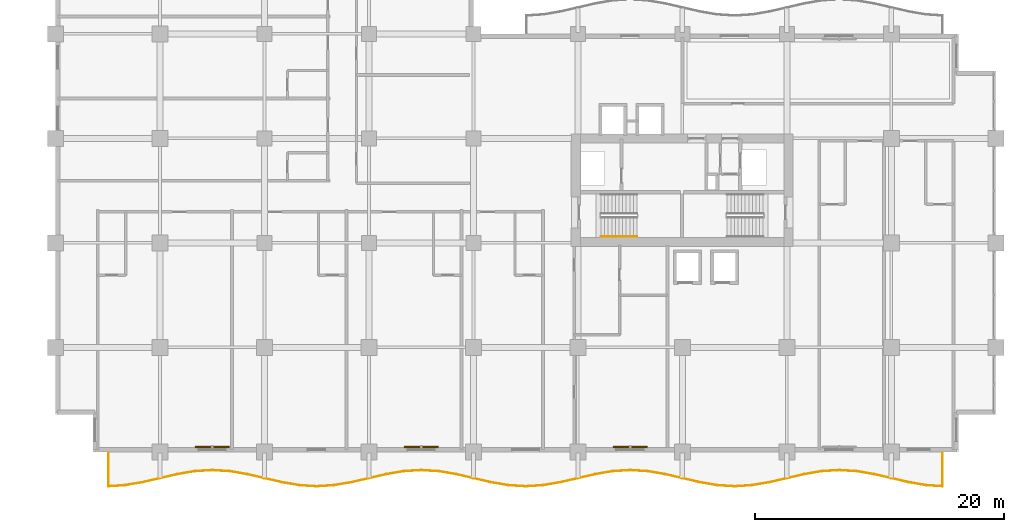
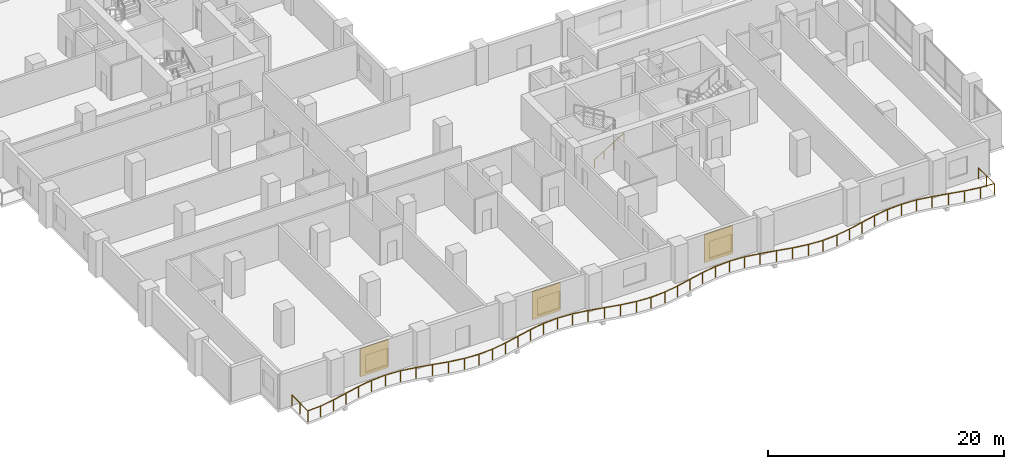
# One storey, part 20 of 23: 3 shading devices, 2 railings.
"""IFC4 building model written with IfcOpenShell, lengths in metres."""

from ifc_helpers import new_model, si_unit, direction, frame, origin, origin_2d, place, context, subcontext, project, spatial, rectangle, circle, extrude, material, layer, layer_set, type_object, element, save


model = new_model("IFC4")

# Units and contexts
model_context = context("Model", 3, precision=1e-05, world=origin(), true_north=direction((0.0, 1.0)))
body_context = subcontext(model_context, "Body", "Model", "MODEL_VIEW")
ifc_project = project(units=[si_unit("LENGTHUNIT", "METRE"), si_unit("AREAUNIT", "SQUARE_METRE"), si_unit("VOLUMEUNIT", "CUBIC_METRE"), si_unit("PLANEANGLEUNIT", "RADIAN"), si_unit("MASSUNIT", "GRAM", prefix="KILO")], contexts=[model_context])

# Site, building, storey
site_placement = place(None, origin())
site = spatial("IfcSite", under=ifc_project, at=site_placement, CompositionType="ELEMENT")
building_placement = place(site_placement, origin())
building = spatial("IfcBuilding", under=site, at=building_placement, Name="Koriwani Terraces Tower", CompositionType="ELEMENT")
storey_placement = place(building_placement, frame((0.0, 0.0, 119.0)))
storey = spatial("IfcBuildingStorey", under=building, at=storey_placement, Name="L28", CompositionType="ELEMENT", Elevation=119.0)

# Railings
ifc_material_1 = material(Name="Steel ASTM A572 Grade 50", Category="steel")
railing_type_1 = type_object("IfcRailingType", Name="GUARD_BALUSTRADE_1150", PredefinedType="BALUSTRADE", material=ifc_material_1)
railing_1_placement = place(storey_placement, frame((4.280029296875, -0.080078125, 0.0)))
element("IfcRailing", 1, at=railing_1_placement, inside=storey, type_object=railing_type_1, Name="L28 Balcony Perimeter Safety Balustrade (S)", PredefinedType="BALUSTRADE", context=body_context, shape_type="SweptSolid", body=[
    extrude(circle(Radius=0.02392578125, at=origin_2d()), frame((0.0, 0.0, 1.1259765625), z_axis=(0.0, -1.0, 0.0), x_axis=(1.0, 0.0, 0.0)), (0.0, 0.0, 1.0), 2.684814453125),
    extrude(circle(Radius=0.02392578125, at=origin_2d()), frame((0.0, -2.684814453125, 1.1259765625), z_axis=(0.998070619723, 0.062088952689, 0.0), x_axis=(-0.062088952689, 0.998070619723, 0.0)), (0.0, 0.0, 1.0), 1.313232421875),
    extrude(circle(Radius=0.02392578125, at=origin_2d()), frame((1.310791015625, -2.603271484375, 1.1259765625), z_axis=(0.985861269125, 0.167563594016, 0.0), x_axis=(-0.167563594016, 0.985861269125, 0.0)), (0.0, 0.0, 1.0), 1.413330078125),
    extrude(circle(Radius=0.02392578125, at=origin_2d()), frame((2.7041015625, -2.366455078125, 1.1259765625), z_axis=(0.974105551615, 0.226093729043, 0.0), x_axis=(-0.226093729043, 0.974105551615, 0.0)), (0.0, 0.0, 1.0), 2.87451171875),
    extrude(circle(Radius=0.02392578125, at=origin_2d()), frame((5.504150390625, -1.716552734375, 1.1259765625), z_axis=(0.985871108269, 0.16750569507, 0.0), x_axis=(-0.16750569507, 0.985871108269, 0.0)), (0.0, 0.0, 1.0), 1.427001953125),
    extrude(circle(Radius=0.02392578125, at=origin_2d()), frame((6.910888671875, -1.4775390625, 1.1259765625), z_axis=(0.9980820707, 0.061904605217, 0.0), x_axis=(-0.061904605217, 0.9980820707, 0.0)), (0.0, 0.0, 1.0), 1.411865234375),
    extrude(circle(Radius=0.02392578125, at=origin_2d()), frame((8.320068359375, -1.39013671875, 1.1259765625), z_axis=(0.9980820707, -0.061904605217, 0.0), x_axis=(0.061904605217, 0.9980820707, 0.0)), (0.0, 0.0, 1.0), 1.411865234375),
    extrude(circle(Radius=0.02392578125, at=origin_2d()), frame((9.729248046875, -1.4775390625, 1.1259765625), z_axis=(0.985866306337, -0.167533954852, 0.0), x_axis=(0.167533954852, 0.985866306337, 0.0)), (0.0, 0.0, 1.0), 1.4267578125),
    extrude(circle(Radius=0.02392578125, at=origin_2d()), frame((11.1357421875, -1.716552734375, 1.1259765625), z_axis=(0.974105551615, -0.226093729043, 0.0), x_axis=(0.226093729043, 0.974105551615, 0.0)), (0.0, 0.0, 1.0), 2.87451171875),
    extrude(circle(Radius=0.02392578125, at=origin_2d()), frame((13.935791015625, -2.366455078125, 1.1259765625), z_axis=(0.985861269125, -0.167563594016, 0.0), x_axis=(0.167563594016, 0.985861269125, 0.0)), (0.0, 0.0, 1.0), 1.413330078125),
    extrude(circle(Radius=0.02392578125, at=origin_2d()), frame((15.3291015625, -2.603271484375, 1.1259765625), z_axis=(0.998075009192, -0.062018352335, 0.0), x_axis=(0.062018352335, 0.998075009192, 0.0)), (0.0, 0.0, 1.0), 1.3935546875),
    extrude(circle(Radius=0.02392578125, at=origin_2d()), frame((16.719970703125, -2.689697265625, 1.1259765625), z_axis=(0.998075009192, 0.062018352335, 0.0), x_axis=(-0.062018352335, 0.998075009192, 0.0)), (0.0, 0.0, 1.0), 1.3935546875),
    extrude(circle(Radius=0.02392578125, at=origin_2d()), frame((18.11083984375, -2.603271484375, 1.1259765625), z_axis=(0.985861269125, 0.167563594016, 0.0), x_axis=(-0.167563594016, 0.985861269125, 0.0)), (0.0, 0.0, 1.0), 1.413330078125),
    extrude(circle(Radius=0.02392578125, at=origin_2d()), frame((19.504150390625, -2.366455078125, 1.1259765625), z_axis=(0.974105551615, 0.226093729043, 0.0), x_axis=(-0.226093729043, 0.974105551615, 0.0)), (0.0, 0.0, 1.0), 2.87451171875),
    extrude(circle(Radius=0.02392578125, at=origin_2d()), frame((22.30419921875, -1.716552734375, 1.1259765625), z_axis=(0.985866306337, 0.167533954852, 0.0), x_axis=(-0.167533954852, 0.985866306337, 0.0)), (0.0, 0.0, 1.0), 1.4267578125),
    extrude(circle(Radius=0.02392578125, at=origin_2d()), frame((23.710693359375, -1.4775390625, 1.1259765625), z_axis=(0.9980820707, 0.061904605217, 0.0), x_axis=(-0.061904605217, 0.9980820707, 0.0)), (0.0, 0.0, 1.0), 1.411865234375),
    extrude(circle(Radius=0.02392578125, at=origin_2d()), frame((25.119873046875, -1.39013671875, 1.1259765625), z_axis=(0.9980820707, -0.061904605217, 0.0), x_axis=(0.061904605217, 0.9980820707, 0.0)), (0.0, 0.0, 1.0), 1.411865234375),
    extrude(circle(Radius=0.02392578125, at=origin_2d()), frame((26.529052734375, -1.4775390625, 1.1259765625), z_axis=(0.985871108269, -0.16750569507, 0.0), x_axis=(0.16750569507, 0.985871108269, 0.0)), (0.0, 0.0, 1.0), 1.427001953125),
    extrude(circle(Radius=0.02392578125, at=origin_2d()), frame((27.935791015625, -1.716552734375, 1.1259765625), z_axis=(0.974105551615, -0.226093729043, 0.0), x_axis=(0.226093729043, 0.974105551615, 0.0)), (0.0, 0.0, 1.0), 2.87451171875),
    extrude(circle(Radius=0.02392578125, at=origin_2d()), frame((30.73583984375, -2.366455078125, 1.1259765625), z_axis=(0.985861269125, -0.167563594016, 0.0), x_axis=(0.167563594016, 0.985861269125, 0.0)), (0.0, 0.0, 1.0), 1.413330078125),
    extrude(circle(Radius=0.02392578125, at=origin_2d()), frame((32.129150390625, -2.603271484375, 1.1259765625), z_axis=(0.998075009192, -0.062018352335, 0.0), x_axis=(0.062018352335, 0.998075009192, 0.0)), (0.0, 0.0, 1.0), 1.3935546875),
    extrude(circle(Radius=0.02392578125, at=origin_2d()), frame((33.52001953125, -2.689697265625, 1.1259765625), z_axis=(0.998075009192, 0.062018352335, 0.0), x_axis=(-0.062018352335, 0.998075009192, 0.0)), (0.0, 0.0, 1.0), 1.3935546875),
    extrude(circle(Radius=0.02392578125, at=origin_2d()), frame((34.910888671875, -2.603271484375, 1.1259765625), z_axis=(0.985861269125, 0.167563594016, 0.0), x_axis=(-0.167563594016, 0.985861269125, 0.0)), (0.0, 0.0, 1.0), 1.413330078125),
    extrude(circle(Radius=0.02392578125, at=origin_2d()), frame((36.30419921875, -2.366455078125, 1.1259765625), z_axis=(0.974105551615, 0.226093729043, 0.0), x_axis=(-0.226093729043, 0.974105551615, 0.0)), (0.0, 0.0, 1.0), 2.87451171875),
    extrude(circle(Radius=0.02392578125, at=origin_2d()), frame((39.104248046875, -1.716552734375, 1.1259765625), z_axis=(0.985866306337, 0.167533954852, 0.0), x_axis=(-0.167533954852, 0.985866306337, 0.0)), (0.0, 0.0, 1.0), 1.4267578125),
    extrude(circle(Radius=0.02392578125, at=origin_2d()), frame((40.5107421875, -1.4775390625, 1.1259765625), z_axis=(0.9980820707, 0.061904605217, 0.0), x_axis=(-0.061904605217, 0.9980820707, 0.0)), (0.0, 0.0, 1.0), 1.411865234375),
    extrude(circle(Radius=0.02392578125, at=origin_2d()), frame((41.919921875, -1.39013671875, 1.1259765625), z_axis=(0.9980820707, -0.061904605217, 0.0), x_axis=(0.061904605217, 0.9980820707, 0.0)), (0.0, 0.0, 1.0), 1.411865234375),
    extrude(circle(Radius=0.02392578125, at=origin_2d()), frame((43.3291015625, -1.4775390625, 1.1259765625), z_axis=(0.985866306337, -0.167533954852, 0.0), x_axis=(0.167533954852, 0.985866306337, 0.0)), (0.0, 0.0, 1.0), 1.4267578125),
    extrude(circle(Radius=0.02392578125, at=origin_2d()), frame((44.735595703125, -1.716552734375, 1.1259765625), z_axis=(0.974109892753, -0.226075024805, 0.0), x_axis=(0.226075024805, 0.974109892753, 0.0)), (0.0, 0.0, 1.0), 2.874755859375),
    extrude(circle(Radius=0.02392578125, at=origin_2d()), frame((47.535888671875, -2.366455078125, 1.1259765625), z_axis=(0.985861269125, -0.167563594016, 0.0), x_axis=(0.167563594016, 0.985861269125, 0.0)), (0.0, 0.0, 1.0), 1.413330078125),
    extrude(circle(Radius=0.02392578125, at=origin_2d()), frame((48.92919921875, -2.603271484375, 1.1259765625), z_axis=(0.998075009192, -0.062018352335, 0.0), x_axis=(0.062018352335, 0.998075009192, 0.0)), (0.0, 0.0, 1.0), 1.3935546875),
    extrude(circle(Radius=0.02392578125, at=origin_2d()), frame((50.320068359375, -2.689697265625, 1.1259765625), z_axis=(0.998074335174, 0.062029198499, 0.0), x_axis=(-0.062029198499, 0.998074335174, 0.0)), (0.0, 0.0, 1.0), 1.393310546875),
    extrude(circle(Radius=0.02392578125, at=origin_2d()), frame((51.710693359375, -2.603271484375, 1.1259765625), z_axis=(0.985866118171, 0.167535062128, 0.0), x_axis=(-0.167535062128, 0.985866118171, 0.0)), (0.0, 0.0, 1.0), 1.41357421875),
    extrude(circle(Radius=0.02392578125, at=origin_2d()), frame((53.104248046875, -2.366455078125, 1.1259765625), z_axis=(0.974105551615, 0.226093729043, 0.0), x_axis=(-0.226093729043, 0.974105551615, 0.0)), (0.0, 0.0, 1.0), 2.87451171875),
    extrude(circle(Radius=0.02392578125, at=origin_2d()), frame((55.904296875, -1.716552734375, 1.1259765625), z_axis=(0.985866306337, 0.167533954852, 0.0), x_axis=(-0.167533954852, 0.985866306337, 0.0)), (0.0, 0.0, 1.0), 1.4267578125),
    extrude(circle(Radius=0.02392578125, at=origin_2d()), frame((57.310791015625, -1.4775390625, 1.1259765625), z_axis=(0.9980820707, 0.061904605217, 0.0), x_axis=(-0.061904605217, 0.9980820707, 0.0)), (0.0, 0.0, 1.0), 1.411865234375),
    extrude(circle(Radius=0.02392578125, at=origin_2d()), frame((58.719970703125, -1.39013671875, 1.1259765625), z_axis=(0.9980820707, -0.061904605217, 0.0), x_axis=(0.061904605217, 0.9980820707, 0.0)), (0.0, 0.0, 1.0), 1.411865234375),
    extrude(circle(Radius=0.02392578125, at=origin_2d()), frame((60.129150390625, -1.4775390625, 1.1259765625), z_axis=(0.985866306337, -0.167533954852, 0.0), x_axis=(0.167533954852, 0.985866306337, 0.0)), (0.0, 0.0, 1.0), 1.4267578125),
    extrude(circle(Radius=0.02392578125, at=origin_2d()), frame((61.53564453125, -1.716552734375, 1.1259765625), z_axis=(0.974105551615, -0.226093729043, 0.0), x_axis=(0.226093729043, 0.974105551615, 0.0)), (0.0, 0.0, 1.0), 2.87451171875),
    extrude(circle(Radius=0.02392578125, at=origin_2d()), frame((64.335693359375, -2.366455078125, 1.1259765625), z_axis=(0.985866118171, -0.167535062128, 0.0), x_axis=(0.167535062128, 0.985866118171, 0.0)), (0.0, 0.0, 1.0), 1.41357421875),
    extrude(circle(Radius=0.02392578125, at=origin_2d()), frame((65.729248046875, -2.603271484375, 1.1259765625), z_axis=(0.998070619723, -0.062088952689, 0.0), x_axis=(0.062088952689, 0.998070619723, 0.0)), (0.0, 0.0, 1.0), 1.313232421875),
    extrude(circle(Radius=0.02392578125, at=origin_2d()), frame((67.0400390625, -2.684814453125, 1.1259765625), z_axis=(0.0, 1.0, 0.0), x_axis=(-1.0, 0.0, 0.0)), (0.0, 0.0, 1.0), 2.684814453125),
    extrude(circle(Radius=0.02099609375, at=origin_2d()), origin(), (0.0, 0.0, 1.0), 1.101806640625),
    extrude(circle(Radius=0.02099609375, at=origin_2d()), frame((0.0, -1.34228515625, 0.0)), (0.0, 0.0, 1.0), 1.101806640625),
    extrude(circle(Radius=0.02099609375, at=origin_2d()), frame((0.0, -2.684814453125, 0.0)), (0.0, 0.0, 1.0), 1.101806640625),
    extrude(circle(Radius=0.02099609375, at=origin_2d()), frame((1.310791015625, -2.603271484375, 0.0)), (0.0, 0.0, 1.0), 1.101806640625),
    extrude(circle(Radius=0.02099609375, at=origin_2d()), frame((2.7041015625, -2.366455078125, 0.0)), (0.0, 0.0, 1.0), 1.101806640625),
    extrude(circle(Radius=0.02099609375, at=origin_2d()), frame((4.10400390625, -2.04150390625, 0.0)), (0.0, 0.0, 1.0), 1.101806640625),
    extrude(circle(Radius=0.02099609375, at=origin_2d()), frame((5.504150390625, -1.716552734375, 0.0)), (0.0, 0.0, 1.0), 1.101806640625),
    extrude(circle(Radius=0.02099609375, at=origin_2d()), frame((6.910888671875, -1.4775390625, 0.0)), (0.0, 0.0, 1.0), 1.101806640625),
    extrude(circle(Radius=0.02099609375, at=origin_2d()), frame((8.320068359375, -1.39013671875, 0.0)), (0.0, 0.0, 1.0), 1.101806640625),
    extrude(circle(Radius=0.02099609375, at=origin_2d()), frame((9.729248046875, -1.4775390625, 0.0)), (0.0, 0.0, 1.0), 1.101806640625),
    extrude(circle(Radius=0.02099609375, at=origin_2d()), frame((11.1357421875, -1.716552734375, 0.0)), (0.0, 0.0, 1.0), 1.101806640625),
    extrude(circle(Radius=0.02099609375, at=origin_2d()), frame((12.53564453125, -2.04150390625, 0.0)), (0.0, 0.0, 1.0), 1.101806640625),
    extrude(circle(Radius=0.02099609375, at=origin_2d()), frame((13.935791015625, -2.366455078125, 0.0)), (0.0, 0.0, 1.0), 1.101806640625),
    extrude(circle(Radius=0.02099609375, at=origin_2d()), frame((15.3291015625, -2.603271484375, 0.0)), (0.0, 0.0, 1.0), 1.101806640625),
    extrude(circle(Radius=0.02099609375, at=origin_2d()), frame((16.719970703125, -2.689697265625, 0.0)), (0.0, 0.0, 1.0), 1.101806640625),
    extrude(circle(Radius=0.02099609375, at=origin_2d()), frame((18.11083984375, -2.603271484375, 0.0)), (0.0, 0.0, 1.0), 1.101806640625),
    extrude(circle(Radius=0.02099609375, at=origin_2d()), frame((19.504150390625, -2.366455078125, 0.0)), (0.0, 0.0, 1.0), 1.101806640625),
    extrude(circle(Radius=0.02099609375, at=origin_2d()), frame((20.904296875, -2.04150390625, 0.0)), (0.0, 0.0, 1.0), 1.101806640625),
    extrude(circle(Radius=0.02099609375, at=origin_2d()), frame((22.30419921875, -1.716552734375, 0.0)), (0.0, 0.0, 1.0), 1.101806640625),
    extrude(circle(Radius=0.02099609375, at=origin_2d()), frame((23.710693359375, -1.4775390625, 0.0)), (0.0, 0.0, 1.0), 1.101806640625),
    extrude(circle(Radius=0.02099609375, at=origin_2d()), frame((25.119873046875, -1.39013671875, 0.0)), (0.0, 0.0, 1.0), 1.101806640625),
    extrude(circle(Radius=0.02099609375, at=origin_2d()), frame((26.529052734375, -1.4775390625, 0.0)), (0.0, 0.0, 1.0), 1.101806640625),
    extrude(circle(Radius=0.02099609375, at=origin_2d()), frame((27.935791015625, -1.716552734375, 0.0)), (0.0, 0.0, 1.0), 1.101806640625),
    extrude(circle(Radius=0.02099609375, at=origin_2d()), frame((29.3359375, -2.04150390625, 0.0)), (0.0, 0.0, 1.0), 1.101806640625),
    extrude(circle(Radius=0.02099609375, at=origin_2d()), frame((30.73583984375, -2.366455078125, 0.0)), (0.0, 0.0, 1.0), 1.101806640625),
    extrude(circle(Radius=0.02099609375, at=origin_2d()), frame((32.129150390625, -2.603271484375, 0.0)), (0.0, 0.0, 1.0), 1.101806640625),
    extrude(circle(Radius=0.02099609375, at=origin_2d()), frame((33.52001953125, -2.689697265625, 0.0)), (0.0, 0.0, 1.0), 1.101806640625),
    extrude(circle(Radius=0.02099609375, at=origin_2d()), frame((34.910888671875, -2.603271484375, 0.0)), (0.0, 0.0, 1.0), 1.101806640625),
    extrude(circle(Radius=0.02099609375, at=origin_2d()), frame((36.30419921875, -2.366455078125, 0.0)), (0.0, 0.0, 1.0), 1.101806640625),
    extrude(circle(Radius=0.02099609375, at=origin_2d()), frame((37.7041015625, -2.04150390625, 0.0)), (0.0, 0.0, 1.0), 1.101806640625),
    extrude(circle(Radius=0.02099609375, at=origin_2d()), frame((39.104248046875, -1.716552734375, 0.0)), (0.0, 0.0, 1.0), 1.101806640625),
    extrude(circle(Radius=0.02099609375, at=origin_2d()), frame((40.5107421875, -1.4775390625, 0.0)), (0.0, 0.0, 1.0), 1.101806640625),
    extrude(circle(Radius=0.02099609375, at=origin_2d()), frame((41.919921875, -1.39013671875, 0.0)), (0.0, 0.0, 1.0), 1.101806640625),
    extrude(circle(Radius=0.02099609375, at=origin_2d()), frame((43.3291015625, -1.4775390625, 0.0)), (0.0, 0.0, 1.0), 1.101806640625),
    extrude(circle(Radius=0.02099609375, at=origin_2d()), frame((44.735595703125, -1.716552734375, 0.0)), (0.0, 0.0, 1.0), 1.101806640625),
    extrude(circle(Radius=0.02099609375, at=origin_2d()), frame((46.1357421875, -2.04150390625, 0.0)), (0.0, 0.0, 1.0), 1.101806640625),
    extrude(circle(Radius=0.02099609375, at=origin_2d()), frame((47.535888671875, -2.366455078125, 0.0)), (0.0, 0.0, 1.0), 1.101806640625),
    extrude(circle(Radius=0.02099609375, at=origin_2d()), frame((48.92919921875, -2.603271484375, 0.0)), (0.0, 0.0, 1.0), 1.101806640625),
    extrude(circle(Radius=0.02099609375, at=origin_2d()), frame((50.320068359375, -2.689697265625, 0.0)), (0.0, 0.0, 1.0), 1.101806640625),
    extrude(circle(Radius=0.02099609375, at=origin_2d()), frame((51.710693359375, -2.603271484375, 0.0)), (0.0, 0.0, 1.0), 1.101806640625),
    extrude(circle(Radius=0.02099609375, at=origin_2d()), frame((53.104248046875, -2.366455078125, 0.0)), (0.0, 0.0, 1.0), 1.101806640625),
    extrude(circle(Radius=0.02099609375, at=origin_2d()), frame((54.50439453125, -2.04150390625, 0.0)), (0.0, 0.0, 1.0), 1.101806640625),
    extrude(circle(Radius=0.02099609375, at=origin_2d()), frame((55.904296875, -1.716552734375, 0.0)), (0.0, 0.0, 1.0), 1.101806640625),
    extrude(circle(Radius=0.02099609375, at=origin_2d()), frame((57.310791015625, -1.4775390625, 0.0)), (0.0, 0.0, 1.0), 1.101806640625),
    extrude(circle(Radius=0.02099609375, at=origin_2d()), frame((58.719970703125, -1.39013671875, 0.0)), (0.0, 0.0, 1.0), 1.101806640625),
    extrude(circle(Radius=0.02099609375, at=origin_2d()), frame((60.129150390625, -1.4775390625, 0.0)), (0.0, 0.0, 1.0), 1.101806640625),
    extrude(circle(Radius=0.02099609375, at=origin_2d()), frame((61.53564453125, -1.716552734375, 0.0)), (0.0, 0.0, 1.0), 1.101806640625),
    extrude(circle(Radius=0.02099609375, at=origin_2d()), frame((62.935546875, -2.04150390625, 0.0)), (0.0, 0.0, 1.0), 1.101806640625),
    extrude(circle(Radius=0.02099609375, at=origin_2d()), frame((64.335693359375, -2.366455078125, 0.0)), (0.0, 0.0, 1.0), 1.101806640625),
    extrude(circle(Radius=0.02099609375, at=origin_2d()), frame((65.729248046875, -2.603271484375, 0.0)), (0.0, 0.0, 1.0), 1.101806640625),
    extrude(circle(Radius=0.02099609375, at=origin_2d()), frame((67.0400390625, -2.684814453125, 0.0)), (0.0, 0.0, 1.0), 1.101806640625),
    extrude(circle(Radius=0.02099609375, at=origin_2d()), frame((67.0400390625, -1.34228515625, 0.0)), (0.0, 0.0, 1.0), 1.101806640625),
    extrude(circle(Radius=0.02099609375, at=origin_2d()), frame((67.0400390625, 0.0, 0.0)), (0.0, 0.0, 1.0), 1.101806640625),
])
railing_type_2 = type_object("IfcRailingType", Name="HANDRAIL_STAIR_920", PredefinedType="HANDRAIL", material=ifc_material_1)
railing_2_placement = place(storey_placement, frame((43.85009765625, 17.300048828125, 0.172607421875)))
element("IfcRailing", 2, at=railing_2_placement, inside=storey, type_object=railing_type_2, Name="L28 ST-E1 stair handrail 1", PredefinedType="HANDRAIL", context=body_context, shape_type="SweptSolid", body=[
    extrude(circle(Radius=0.02392578125, at=origin_2d()), frame((0.0, 0.0, 0.8759765625), z_axis=(0.859141464434, 0.0, 0.511738159696), x_axis=(0.0, 1.0, 0.0)), (0.0, 0.0, 1.0), 3.375244140625),
    extrude(circle(Radius=0.02099609375, at=origin_2d()), origin(), (0.0, 0.0, 1.0), 0.851806640625),
    extrude(circle(Radius=0.02099609375, at=origin_2d()), frame((0.966552734375, 0.0, 0.57568359375)), (0.0, 0.0, 1.0), 0.851806640625),
    extrude(circle(Radius=0.02099609375, at=origin_2d()), frame((1.933349609375, 0.0, 1.151611328125)), (0.0, 0.0, 1.0), 0.851806640625),
    extrude(circle(Radius=0.02099609375, at=origin_2d()), frame((2.89990234375, 0.0, 1.727294921875)), (0.0, 0.0, 1.0), 0.851806640625),
])

# Shading devices
ifc_material_2 = material(Name="Extruded Terracotta Clay", Category="masonry")
ifc_layer = layer(ifc_material_2, 0.1201171875, Name="Extruded Terracotta Clay")
ifc_layer_set = layer_set([ifc_layer], Name="Extruded Terracotta Clay")
shading_device_type = type_object("IfcShadingDeviceType", Name="TERRACOTTA_BAGUETTE_SCREEN_2800", PredefinedType="USERDEFINED", material=ifc_layer_set)
for number, where, z_axis, x_axis, name in (
    (3, (12.60009765625, 0.405029296875, 0.324951171875), (0.0, 0.0, 1.0), (-1.0, 0.0, 0.0), "L28 Extruded Terracotta Baguette Screen (S-3)"),
    (4, (29.39990234375, 0.405029296875, 0.324951171875), (0.0, 0.0, 1.0), (-1.0, 0.0, 0.0), "L28 Extruded Terracotta Baguette Screen (S-9)"),
    (5, (46.199951171875, 0.405029296875, 0.324951171875), (0.0, 0.0, 1.0), (-1.0, 0.0, 0.0), "L28 Extruded Terracotta Baguette Screen (S-15)"),
):
    element("IfcShadingDevice", number, at=place(storey_placement, frame(where, z_axis=z_axis, x_axis=x_axis)), inside=storey, type_object=shading_device_type, Name=name, ObjectType="BAGUETTE", PredefinedType="USERDEFINED", context=body_context, shape_type="SweptSolid", body=[
        extrude(rectangle(XDim=2.760009765625, YDim=0.1201171875, at=origin_2d()), origin(), (0.0, 0.0, 1.0), 2.89990234375),
    ])

save(model, "model.ifc")
